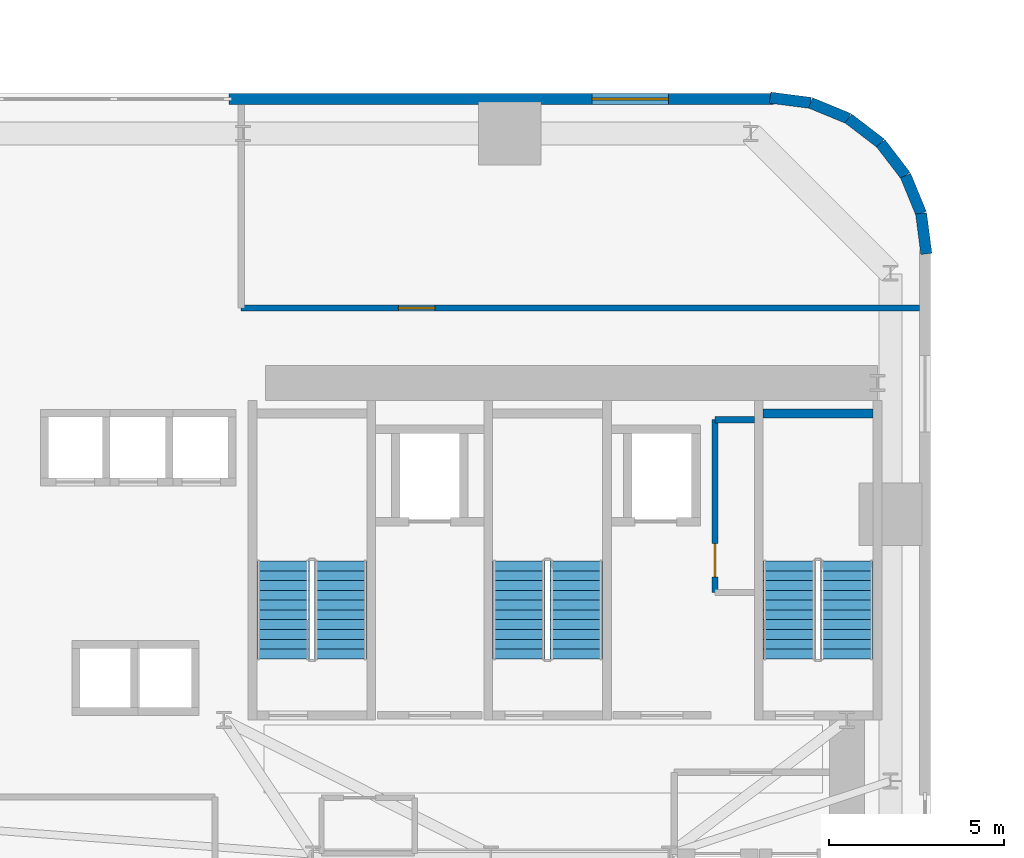
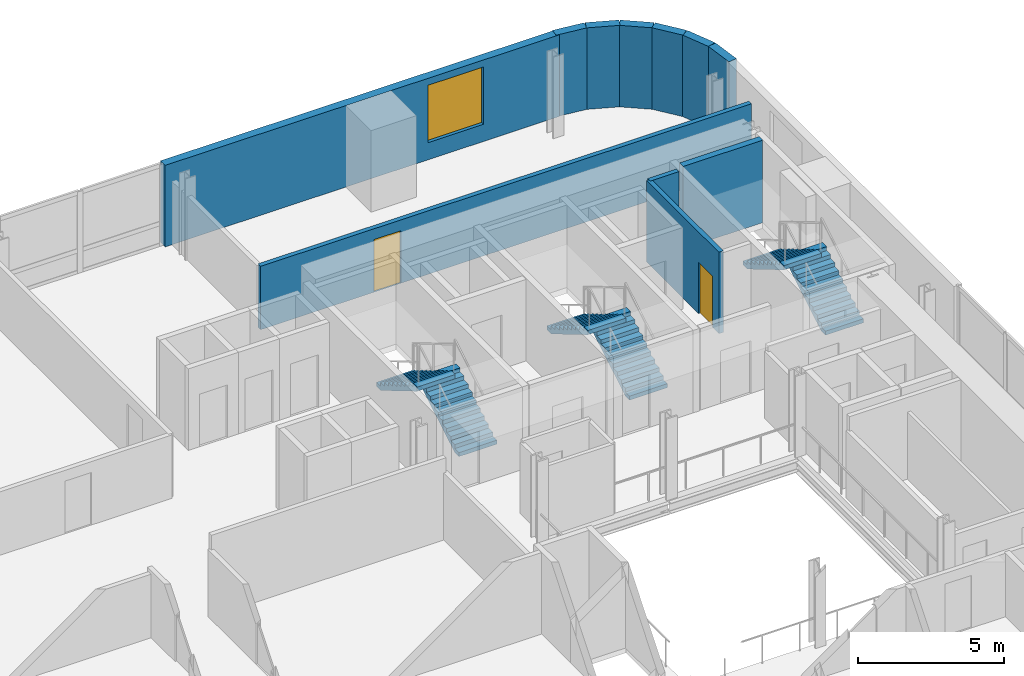
# One storey, part 9 of 13: 11 walls, 6 stair flights, 2 doors, 1 window, 3 openings, 3 elements without a shape of their own.
"""IFC4 building model written with IfcOpenShell, lengths in metres."""

from ifc_helpers import new_model, si_unit, direction, frame, frame_2d, origin, place, context, subcontext, project, spatial, polyline, rectangle, outline, extrude, source, transform, mapped, material, layer, layer_set, type_object, element, fill, aggregate, save


model = new_model("IFC4")

# Units and contexts
model_context = context("Model", 3, precision=1e-05, world=origin(), true_north=direction((0.0, 1.0)))
body_context = subcontext(model_context, "Body", "Model", "MODEL_VIEW")
ifc_project = project(units=[si_unit("LENGTHUNIT", "METRE"), si_unit("AREAUNIT", "SQUARE_METRE"), si_unit("VOLUMEUNIT", "CUBIC_METRE"), si_unit("PLANEANGLEUNIT", "RADIAN"), si_unit("MASSUNIT", "GRAM", prefix="KILO")], contexts=[model_context])

# Site, building, storey
site_placement = place(None, origin())
site = spatial("IfcSite", under=ifc_project, at=site_placement, CompositionType="ELEMENT")
building_placement = place(site_placement, origin())
building = spatial("IfcBuilding", under=site, at=building_placement, Name="Vardaveli Station Tower", CompositionType="ELEMENT")
storey_placement = place(building_placement, frame((0.0, 0.0, 53.14990234375)))
storey = spatial("IfcBuildingStorey", under=building, at=storey_placement, Name="L13", CompositionType="ELEMENT", Elevation=53.14990234375)

# Wall, opening, window
ifc_material_1 = material(Name="Precast concrete C45/55", Category="concrete")
ifc_layer_1 = layer(ifc_material_1, 0.320068359375, Name="Precast concrete C45/55")
ifc_layer_set_1 = layer_set([ifc_layer_1], Name="Precast concrete C45/55")
wall_type_1 = type_object("IfcWallType", Name="WAL-EXT-STONE-320", PredefinedType="SOLIDWALL", material=ifc_layer_set_1)
shared_shape_1 = source(origin(), body_context, "Body", "SweptSolid", [
    extrude(rectangle(XDim=15.599853515625, YDim=0.320068359375, at=frame_2d((7.7998046875, 0.0))), origin(), (0.0, 0.0, 1.0), 3.41015625),
])
wall_1_placement = place(storey_placement, frame((44.39990234375, 48.43994140625, 0.0), z_axis=(0.0, 0.0, 1.0), x_axis=(-1.0, 0.0, 0.0)))
wall_1 = element("IfcWall", 1, at=wall_1_placement, inside=storey, type_object=wall_type_1, Name="EW-L13-N1", PredefinedType="SOLIDWALL", context=body_context, shape_type="MappedRepresentation", body=[
    mapped(shared_shape_1, transform((0.0, 0.0, 0.0), scale=1.0)),
])
shared_shape_2 = source(origin(), body_context, "Body", "SweptSolid", [
    extrude(rectangle(XDim=2.199951171875, YDim=2.39990234375, at=frame_2d((1.10009765625, 1.199951171875))), frame((0.0, 0.169921875, 0.0), z_axis=(0.0, -1.0, 0.0), x_axis=(1.0, 0.0, 0.0)), (0.0, 0.0, 1.0), 0.340087890625),
])
opening_1_placement = place(wall_1_placement, frame((3.0048828125, 0.0, 0.719970703125)))
opening_1 = element("IfcOpeningElement", 2, at=opening_1_placement, cuts=wall_1, Name="Opening W-03", PredefinedType="OPENING", context=body_context, shape_type="MappedRepresentation", body=[
    mapped(shared_shape_2, transform((0.0, 0.0, 0.0), scale=1.0)),
])
ifc_material_2 = material(Name="Low-E solar-control glass", Category="glass")
window_type = type_object("IfcWindowType", Name="WIN-LOG-2200x2400", PartitioningType="SINGLE_PANEL", PredefinedType="WINDOW", material=ifc_material_2)
shared_shape_3 = source(origin(), body_context, "Body", "SweptSolid", [
    extrude(rectangle(XDim=2.199951171875, YDim=2.39990234375, at=frame_2d((1.10009765625, 1.199951171875))), frame((0.0, 0.030029296875, 0.0), z_axis=(0.0, -1.0, 0.0), x_axis=(1.0, 0.0, 0.0)), (0.0, 0.0, 1.0), 0.06005859375),
])
window_placement = place(opening_1_placement, origin())
window = element("IfcWindow", 3, at=window_placement, inside=storey, type_object=window_type, Name="WN-L13-N1", OverallHeight=2.39990234375, OverallWidth=2.199951171875, PartitioningType="SINGLE_PANEL", PredefinedType="WINDOW", context=body_context, shape_type="MappedRepresentation", body=[
    mapped(shared_shape_3, transform((0.0, 0.0, 0.0), scale=1.0)),
])
fill(opening_1, window)

# Walls
shared_shape_4 = source(origin(), body_context, "Body", "SweptSolid", [
    extrude(rectangle(XDim=1.1689453125, YDim=0.320068359375, at=frame_2d((0.58447265625, 0.0))), origin(), (0.0, 0.0, 1.0), 3.41015625),
])
wall_2_placement = place(storey_placement, frame((48.179931640625, 46.2412109375, 0.0), z_axis=(0.0, 0.0, 1.0), x_axis=(-0.608387696831, 0.793639975269, 0.0)))
element("IfcWall", 4, at=wall_2_placement, inside=storey, type_object=wall_type_1, Name="EW-L13-CR3-3", PredefinedType="SOLIDWALL", context=body_context, shape_type="MappedRepresentation", body=[
    mapped(shared_shape_4, transform((0.0, 0.0, 0.0), scale=1.0)),
])
shared_shape_5 = source(origin(), body_context, "Body", "SweptSolid", [
    extrude(rectangle(XDim=1.168701171875, YDim=0.320068359375, at=frame_2d((0.58447265625, 0.0))), origin(), (0.0, 0.0, 1.0), 3.41015625),
])
wall_3_placement = place(storey_placement, frame((47.46875, 47.1689453125, 0.0), z_axis=(0.0, 0.0, 1.0), x_axis=(-0.793663520347, 0.608356981114, 0.0)))
element("IfcWall", 5, at=wall_3_placement, inside=storey, type_object=wall_type_1, Name="EW-L13-CR3-4", PredefinedType="SOLIDWALL", context=body_context, shape_type="MappedRepresentation", body=[
    mapped(shared_shape_5, transform((0.0, 0.0, 0.0), scale=1.0)),
])
shared_shape_6 = source(origin(), body_context, "Body", "SweptSolid", [
    extrude(rectangle(XDim=1.17041015625, YDim=0.320068359375, at=frame_2d((0.585205078125, 0.0))), origin(), (0.0, 0.0, 1.0), 3.41015625),
])
for number, where, z_axis, x_axis, name in (
    (6, (48.775634765625, 43.99951171875, 0.0), (0.0, 0.0, 1.0), (-0.128295670475, 0.991735963317, 0.0), "EW-L13-CR3-1"),
    (7, (45.460205078125, 48.325439453125, 0.0), (0.0, 0.0, 1.0), (-0.991735963317, 0.128295670475, 0.0), "EW-L13-CR3-6"),
):
    element("IfcWall", number, at=place(storey_placement, frame(where, z_axis=z_axis, x_axis=x_axis)), inside=storey, type_object=wall_type_1, Name=name, PredefinedType="SOLIDWALL", context=body_context, shape_type="MappedRepresentation", body=[
        mapped(shared_shape_6, transform((0.0, 0.0, 0.0), scale=1.0)),
    ])
shared_shape_7 = source(origin(), body_context, "Body", "SweptSolid", [
    extrude(rectangle(XDim=1.169189453125, YDim=0.320068359375, at=frame_2d((0.58447265625, 0.0))), origin(), (0.0, 0.0, 1.0), 3.41015625),
])
for number, where, z_axis, x_axis, name in (
    (8, (48.62548828125, 45.16015625, 0.0), (0.0, 0.0, 1.0), (-0.381054331552, 0.924552646638, 0.0), "EW-L13-CR3-2"),
    (9, (46.541259765625, 47.8798828125, 0.0), (0.0, 0.0, 1.0), (-0.924552646638, 0.381054331552, 0.0), "EW-L13-CR3-5"),
):
    element("IfcWall", number, at=place(storey_placement, frame(where, z_axis=z_axis, x_axis=x_axis)), inside=storey, type_object=wall_type_1, Name=name, PredefinedType="SOLIDWALL", context=body_context, shape_type="MappedRepresentation", body=[
        mapped(shared_shape_7, transform((0.0, 0.0, 0.0), scale=1.0)),
    ])
ifc_material_3 = material(Name="Concrete C40/50", Category="concrete")
ifc_layer_2 = layer(ifc_material_3, 0.25, Name="Concrete C40/50")
ifc_layer_set_2 = layer_set([ifc_layer_2], Name="Concrete C40/50")
wall_type_2 = type_object("IfcWallType", Name="WAL-SHAFT-250", PredefinedType="SOLIDWALL", material=ifc_layer_set_2)
shared_shape_8 = source(origin(), body_context, "Body", "SweptSolid", [
    extrude(rectangle(XDim=3.14990234375, YDim=0.25, at=frame_2d((1.574951171875, 0.0))), origin(), (0.0, 0.0, 1.0), 3.4501953125),
])
wall_4_placement = place(storey_placement, frame((44.10009765625, 39.425048828125, 0.0), z_axis=(0.0, 0.0, 1.0), x_axis=(1.0, 0.0, 0.0)))
element("IfcWall", 10, at=wall_4_placement, inside=storey, type_object=wall_type_2, Name="W-L13-ST-3N", PredefinedType="SOLIDWALL", context=body_context, shape_type="MappedRepresentation", body=[
    mapped(shared_shape_8, transform((0.0, 0.0, 0.0), scale=1.0)),
])

# Wall, opening, door
ifc_material_4 = material(Name="Fire-rated gypsum stud partition")
ifc_layer_3 = layer(ifc_material_4, 0.179931640625, Name="Fire-rated gypsum stud partition")
ifc_layer_set_3 = layer_set([ifc_layer_3], Name="Fire-rated gypsum stud partition")
wall_type_3 = type_object("IfcWallType", Name="WAL-CORR-180", PredefinedType="PARTITIONING", material=ifc_layer_set_3)
shared_shape_9 = source(origin(), body_context, "Body", "SweptSolid", [
    extrude(rectangle(XDim=19.427978515625, YDim=0.179931640625, at=frame_2d((9.7138671875, 0.0))), origin(), (0.0, 0.0, 1.0), 2.652099609375),
])
wall_5_placement = place(storey_placement, frame((29.14990234375, 42.449951171875, 0.0), z_axis=(0.0, 0.0, 1.0), x_axis=(1.0, 0.0, 0.0)))
wall_5 = element("IfcWall", 11, at=wall_5_placement, inside=storey, type_object=wall_type_3, Name="W-L13-NPS", PredefinedType="PARTITIONING", context=body_context, shape_type="MappedRepresentation", body=[
    mapped(shared_shape_9, transform((0.0, 0.0, 0.0), scale=1.0)),
])
shared_shape_10 = source(origin(), body_context, "Body", "SweptSolid", [
    extrude(rectangle(XDim=1.050048828125, YDim=2.199951171875, at=frame_2d((0.52490234375, 1.10009765625))), frame((0.0, 0.10009765625, 0.0), z_axis=(0.0, -1.0, 0.0), x_axis=(1.0, 0.0, 0.0)), (0.0, 0.0, 1.0), 0.199951171875),
])
opening_2_placement = place(wall_5_placement, frame((4.5, 0.0, 0.0)))
opening_2 = element("IfcOpeningElement", 12, at=opening_2_placement, cuts=wall_5, Name="Opening D-05", PredefinedType="OPENING", context=body_context, shape_type="MappedRepresentation", body=[
    mapped(shared_shape_10, transform((0.0, 0.0, 0.0), scale=1.0)),
])
ifc_material_5 = material(Name="Walnut veneer acoustic fire door")
door_type_1 = type_object("IfcDoorType", Name="DR-SUITE-1050x2200", OperationType="NOTDEFINED", PredefinedType="DOOR", material=ifc_material_5)
shared_shape_11 = source(origin(), body_context, "Body", "SweptSolid", [
    extrude(rectangle(XDim=1.050048828125, YDim=2.199951171875, at=frame_2d((0.52490234375, 1.10009765625))), frame((0.0, 0.02490234375, 0.0), z_axis=(0.0, -1.0, 0.0), x_axis=(1.0, 0.0, 0.0)), (0.0, 0.0, 1.0), 0.050048828125),
])
door_1_placement = place(opening_2_placement, origin())
door_1 = element("IfcDoor", 13, at=door_1_placement, inside=storey, type_object=door_type_1, Name="D-L13-NP1", OperationType="SINGLE_SWING_LEFT", OverallHeight=2.199951171875, OverallWidth=1.050048828125, PredefinedType="DOOR", context=body_context, shape_type="MappedRepresentation", body=[
    mapped(shared_shape_11, transform((0.0, 0.0, 0.0), scale=1.0)),
])
fill(opening_2, door_1)

shared_shape_12 = source(origin(), body_context, "Body", "SweptSolid", [
    extrude(rectangle(XDim=4.949951171875, YDim=0.179931640625, at=frame_2d((2.47509765625, 0.0))), origin(), (0.0, 0.0, 1.0), 3.41015625),
])
wall_6_placement = place(storey_placement, frame((42.719970703125, 34.300048828125, 0.0), z_axis=(0.0, 0.0, 1.0), x_axis=(0.0, 1.0, 0.0)))
wall_6 = element("IfcWall", 14, at=wall_6_placement, inside=storey, type_object=wall_type_3, Name="W-L13-CBS1-W", PredefinedType="PARTITIONING", context=body_context, shape_type="MappedRepresentation", body=[
    mapped(shared_shape_12, transform((0.0, 0.0, 0.0), scale=1.0)),
])
shared_shape_13 = source(origin(), body_context, "Body", "SweptSolid", [
    extrude(rectangle(XDim=0.949951171875, YDim=2.14990234375, at=frame_2d((0.47509765625, 1.074951171875))), frame((0.0, 0.10009765625, 0.0), z_axis=(0.0, -1.0, 0.0), x_axis=(1.0, 0.0, 0.0)), (0.0, 0.0, 1.0), 0.199951171875),
])
opening_3_placement = place(wall_6_placement, frame((0.449951171875, 0.0, 0.0)))
opening_3 = element("IfcOpeningElement", 15, at=opening_3_placement, cuts=wall_6, Name="Opening D-06", PredefinedType="OPENING", context=body_context, shape_type="MappedRepresentation", body=[
    mapped(shared_shape_13, transform((0.0, 0.0, 0.0), scale=1.0)),
])
ifc_material_6 = material(Name="Oak veneer acoustic fire door")
door_type_2 = type_object("IfcDoorType", Name="DR-GUEST-950x2150", OperationType="NOTDEFINED", PredefinedType="DOOR", material=ifc_material_6)
shared_shape_14 = source(origin(), body_context, "Body", "SweptSolid", [
    extrude(rectangle(XDim=0.949951171875, YDim=2.14990234375, at=frame_2d((0.47509765625, 1.074951171875))), frame((0.0, 0.02490234375, 0.0), z_axis=(0.0, -1.0, 0.0), x_axis=(1.0, 0.0, 0.0)), (0.0, 0.0, 1.0), 0.050048828125),
])
door_2_placement = place(opening_3_placement, origin())
door_2 = element("IfcDoor", 16, at=door_2_placement, inside=storey, type_object=door_type_2, Name="D-L13-HKP", OperationType="SINGLE_SWING_LEFT", OverallHeight=2.14990234375, OverallWidth=0.949951171875, PredefinedType="DOOR", context=body_context, shape_type="MappedRepresentation", body=[
    mapped(shared_shape_14, transform((0.0, 0.0, 0.0), scale=1.0)),
])
fill(opening_3, door_2)

# Wall
shared_shape_15 = source(origin(), body_context, "Body", "SweptSolid", [
    extrude(rectangle(XDim=1.1279296875, YDim=0.179931640625, at=frame_2d((0.56396484375, 0.0))), origin(), (0.0, 0.0, 1.0), 3.41015625),
])
wall_7_placement = place(storey_placement, frame((42.719970703125, 39.25, 0.0), z_axis=(0.0, 0.0, 1.0), x_axis=(1.0, 0.0, 0.0)))
element("IfcWall", 17, at=wall_7_placement, inside=storey, type_object=wall_type_3, Name="W-L13-CBS1-N", PredefinedType="PARTITIONING", context=body_context, shape_type="MappedRepresentation", body=[
    mapped(shared_shape_15, transform((0.0, 0.0, 0.0), scale=1.0)),
])

# Stair, stair flights
stair_type = type_object("IfcStairType", Name="STR-CORE-1500", PredefinedType="HALF_TURN_STAIR", material=ifc_material_3)
stair_1_placement = place(storey_placement, origin())
stair_1 = element("IfcStair", 18, at=stair_1_placement, inside=storey, type_object=stair_type, Name="L13 ST-1", PredefinedType="HALF_TURN_STAIR")
stair_flight_type = type_object("IfcStairFlightType", Name="SFL-CORE-1500", PredefinedType="STRAIGHT", material=ifc_material_3)
shared_shape_16 = source(origin(), body_context, "Body", "SweptSolid", [
    extrude(outline(polyline([(0.0, 0.0), (0.0, 0.166015625), (0.280029296875, 0.166015625), (0.280029296875, 0.331787109375), (0.56005859375, 0.331787109375), (0.56005859375, 0.497802734375), (0.840087890625, 0.497802734375), (0.840087890625, 0.66357421875), (1.1201171875, 0.66357421875), (1.1201171875, 0.82958984375), (1.39990234375, 0.82958984375), (1.39990234375, 0.995361328125), (1.679931640625, 0.995361328125), (1.679931640625, 1.161376953125), (1.9599609375, 1.161376953125), (1.9599609375, 1.327392578125), (2.239990234375, 1.327392578125), (2.239990234375, 1.4931640625), (2.52001953125, 1.4931640625), (2.52001953125, 1.6591796875), (2.800048828125, 1.6591796875), (2.800048828125, 1.824951171875), (2.800048828125, 1.48486328125), (0.2939453125, 0.0), (0.0, 0.0)])), frame((0.0, 0.75, 0.0), z_axis=(0.0, -1.0, 0.0), x_axis=(1.0, 0.0, 0.0)), (0.0, 0.0, 1.0), 1.5),
])
stair_flight_1_placement = place(storey_placement, frame((32.0, 32.39990234375, 0.0), z_axis=(0.0, 0.0, 1.0), x_axis=(0.0, 1.0, 0.0)))
stair_flight_1 = element("IfcStairFlight", 19, at=stair_flight_1_placement, type_object=stair_flight_type, Name="ST-1 flight 1", NumberOfRisers=11, NumberOfTreads=10, PredefinedType="STRAIGHT", RiserHeight=0.165909091, TreadLength=0.28, context=body_context, shape_type="MappedRepresentation", body=[
    mapped(shared_shape_16, transform((0.0, 0.0, 0.0), scale=1.0)),
])
stair_flight_2_placement = place(storey_placement, frame((30.35009765625, 35.199951171875, 1.8251953125), z_axis=(0.0, 0.0, 1.0), x_axis=(0.0, -1.0, 0.0)))
stair_flight_2 = element("IfcStairFlight", 20, at=stair_flight_2_placement, type_object=stair_flight_type, Name="ST-1 flight 2", NumberOfRisers=11, NumberOfTreads=10, PredefinedType="STRAIGHT", RiserHeight=0.165909091, TreadLength=0.28, context=body_context, shape_type="MappedRepresentation", body=[
    mapped(shared_shape_16, transform((0.0, 0.0, 0.0), scale=1.0)),
])
aggregate(stair_1, [stair_flight_1, stair_flight_2])

stair_2_placement = place(storey_placement, origin())
stair_2 = element("IfcStair", 21, at=stair_2_placement, inside=storey, type_object=stair_type, Name="L13 ST-2", PredefinedType="HALF_TURN_STAIR")
stair_flight_3_placement = place(storey_placement, frame((38.75, 32.39990234375, 0.0), z_axis=(0.0, 0.0, 1.0), x_axis=(0.0, 1.0, 0.0)))
stair_flight_3 = element("IfcStairFlight", 22, at=stair_flight_3_placement, type_object=stair_flight_type, Name="ST-2 flight 1", NumberOfRisers=11, NumberOfTreads=10, PredefinedType="STRAIGHT", RiserHeight=0.165909091, TreadLength=0.28, context=body_context, shape_type="MappedRepresentation", body=[
    mapped(shared_shape_16, transform((0.0, 0.0, 0.0), scale=1.0)),
])
stair_flight_4_placement = place(storey_placement, frame((37.10009765625, 35.199951171875, 1.8251953125), z_axis=(0.0, 0.0, 1.0), x_axis=(0.0, -1.0, 0.0)))
stair_flight_4 = element("IfcStairFlight", 23, at=stair_flight_4_placement, type_object=stair_flight_type, Name="ST-2 flight 2", NumberOfRisers=11, NumberOfTreads=10, PredefinedType="STRAIGHT", RiserHeight=0.165909091, TreadLength=0.28, context=body_context, shape_type="MappedRepresentation", body=[
    mapped(shared_shape_16, transform((0.0, 0.0, 0.0), scale=1.0)),
])
aggregate(stair_2, [stair_flight_3, stair_flight_4])

stair_3_placement = place(storey_placement, origin())
stair_3 = element("IfcStair", 24, at=stair_3_placement, inside=storey, type_object=stair_type, Name="L13 ST-3", PredefinedType="HALF_TURN_STAIR")
stair_flight_5_placement = place(storey_placement, frame((46.5, 32.39990234375, 0.0), z_axis=(0.0, 0.0, 1.0), x_axis=(0.0, 1.0, 0.0)))
stair_flight_5 = element("IfcStairFlight", 25, at=stair_flight_5_placement, type_object=stair_flight_type, Name="ST-3 flight 1", NumberOfRisers=11, NumberOfTreads=10, PredefinedType="STRAIGHT", RiserHeight=0.165909091, TreadLength=0.28, context=body_context, shape_type="MappedRepresentation", body=[
    mapped(shared_shape_16, transform((0.0, 0.0, 0.0), scale=1.0)),
])
stair_flight_6_placement = place(storey_placement, frame((44.85009765625, 35.199951171875, 1.8251953125), z_axis=(0.0, 0.0, 1.0), x_axis=(0.0, -1.0, 0.0)))
stair_flight_6 = element("IfcStairFlight", 26, at=stair_flight_6_placement, type_object=stair_flight_type, Name="ST-3 flight 2", NumberOfRisers=11, NumberOfTreads=10, PredefinedType="STRAIGHT", RiserHeight=0.165909091, TreadLength=0.28, context=body_context, shape_type="MappedRepresentation", body=[
    mapped(shared_shape_16, transform((0.0, 0.0, 0.0), scale=1.0)),
])
aggregate(stair_3, [stair_flight_5, stair_flight_6])

save(model, "model.ifc")
